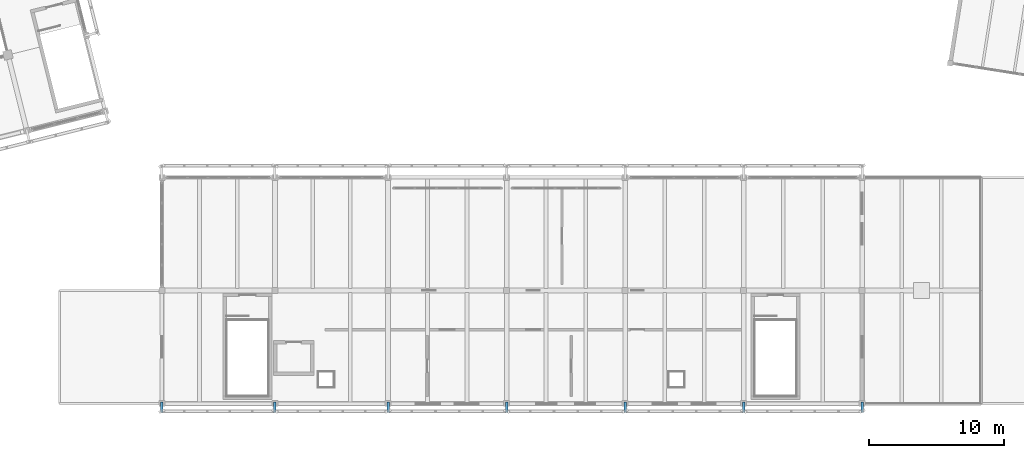
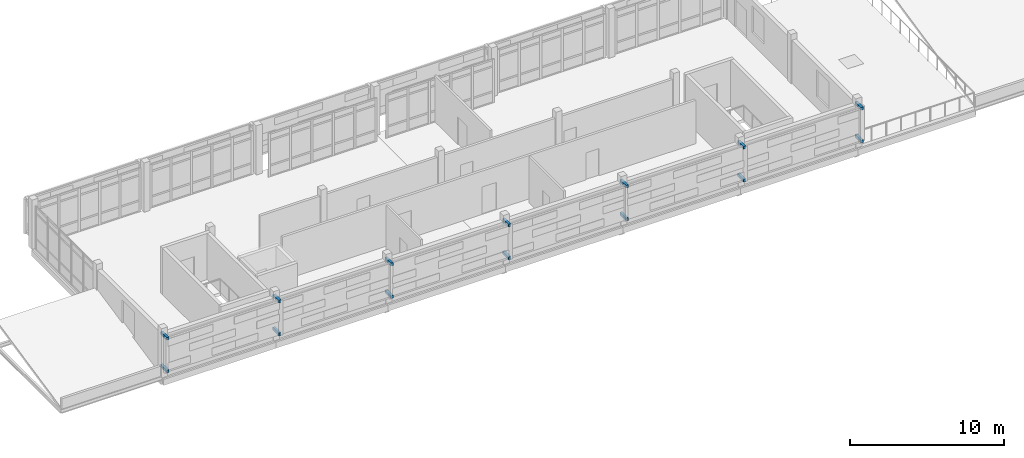
# One storey, part 105 of 117: 14 discrete accessories.
"""IFC4 building model written with IfcOpenShell, lengths in metres."""

import ifcopenshell
import ifcopenshell.guid

model = None  # the IFC model being written
_history = None  # IfcOwnerHistory: only IFC2X3 demands one
_inside = {}  # id of a spatial element -> (the spatial element, [elements in it])
_under = {}  # id of a project, library or spatial element -> (it, [spatial elements below it])
_declared = {}  # id of a project -> (the project, [libraries it declares])
_typed = {}  # id of a type object -> (the type object, [elements of that type])
_made_of = {}  # id of a material, layer set ... -> (it, [elements and type objects made of it])


def new_model(schema):
    """Start an empty IFC model of exactly this schema.

    Asked for "IFC4X3", IfcOpenShell would pick the latest addendum, in which some entities
    have other attributes; the version numbers below select the first issue.
    IFC2X3 requires an IfcOwnerHistory on every rooted entity: one is made here for all.
    """
    global model, _history
    if schema == "IFC4X3":
        model = ifcopenshell.file(schema_version=(4, 3, 0, 0))
    else:
        model = ifcopenshell.file(schema=schema)
    _inside.clear()
    _under.clear()
    _declared.clear()
    _typed.clear()
    _made_of.clear()
    _history = None
    if model.schema == "IFC2X3":
        org = make("IfcOrganization", Name="unknown")
        user = make(
            "IfcPersonAndOrganization",
            ThePerson=make("IfcPerson", FamilyName="unknown"),
            TheOrganization=org,
        )
        app = make(
            "IfcApplication",
            ApplicationDeveloper=org,
            Version="unknown",
            ApplicationFullName="unknown",
            ApplicationIdentifier="unknown",
        )
        _history = make(
            "IfcOwnerHistory",
            OwningUser=user,
            OwningApplication=app,
            ChangeAction="ADDED",
            CreationDate=0,
        )
    return model


def make(cls, **values):
    """One entity of the class cls with the attributes given. An attribute that is None is left unset."""
    return model.create_entity(
        cls, **{name: value for name, value in values.items() if value is not None}
    )


def rooted(cls, **values):
    """An entity with a GlobalId (a new one), such as an element, a storey or a relation."""
    return make(cls, GlobalId=ifcopenshell.guid.new(), OwnerHistory=_history, **values)


def si_unit(unit_type, name, prefix=None):
    """IfcSIUnit, for example si_unit("LENGTHUNIT", "METRE", prefix="MILLI")."""
    return make("IfcSIUnit", UnitType=unit_type, Prefix=prefix, Name=name)


def assignment(units):
    """IfcUnitAssignment: the units of a project."""
    return None if units is None else make("IfcUnitAssignment", Units=units)


def point(xyz):
    """IfcCartesianPoint."""
    return None if xyz is None else make("IfcCartesianPoint", Coordinates=xyz)


def direction(xyz):
    """IfcDirection."""
    return None if xyz is None else make("IfcDirection", DirectionRatios=xyz)


def frame(location, z_axis=None, x_axis=None):
    """IfcAxis2Placement3D, a coordinate frame: its origin and axes. An axis left out is left unset."""
    return make(
        "IfcAxis2Placement3D",
        Location=point(location),
        Axis=direction(z_axis),
        RefDirection=direction(x_axis),
    )


def frame_2d(location, x_axis=None):
    """IfcAxis2Placement2D, a coordinate frame in the plane: its origin and x axis."""
    return make(
        "IfcAxis2Placement2D", Location=point(location), RefDirection=direction(x_axis)
    )


def origin():
    """The frame at (0, 0, 0) with its axes left unset."""
    return frame((0.0, 0.0, 0.0))


def origin_2d():
    """The frame at (0, 0) in the plane with its x axis left unset."""
    return frame_2d((0.0, 0.0))


def place(relative_to, where):
    """IfcLocalPlacement: puts the frame where relative to a parent placement (None: the world)."""
    return make(
        "IfcLocalPlacement", PlacementRelTo=relative_to, RelativePlacement=where
    )


def context(
    kind, dimensions, precision=None, world=None, true_north=None, identifier=None
):
    """IfcGeometricRepresentationContext, for example the 3D "Model" context."""
    return make(
        "IfcGeometricRepresentationContext",
        ContextIdentifier=identifier,
        ContextType=kind,
        CoordinateSpaceDimension=dimensions,
        Precision=precision,
        WorldCoordinateSystem=world,
        TrueNorth=true_north,
    )


def subcontext(parent, identifier, kind, view, scale=None):
    """IfcGeometricRepresentationSubContext, for example "Body" below "Model"."""
    return make(
        "IfcGeometricRepresentationSubContext",
        ContextIdentifier=identifier,
        ContextType=kind,
        ParentContext=parent,
        TargetScale=scale,
        TargetView=view,
    )


def project(units=None, contexts=None):
    """IfcProject with its units and contexts."""
    return rooted(
        "IfcProject",
        Name="project",
        RepresentationContexts=contexts,
        UnitsInContext=assignment(units),
    )


def spatial(cls, under=None, at=None, **own):
    """A site, building, storey or space (cls), placed at a placement, below another one or the project."""
    s = rooted(cls, ObjectPlacement=at, **own)
    if under is not None:
        _under.setdefault(under.id(), (under, []))[1].append(s)
    return s


def profile(cls, at=None, kind="AREA", **sizes):
    """A parametric profile (cls). Its sizes go by their IFC names, for example OverallWidth=200.0."""
    return make(cls, ProfileType=kind, Position=at, **sizes)


def rectangle(**sizes):
    """IfcRectangleProfileDef."""
    return profile("IfcRectangleProfileDef", **sizes)


def extrude(swept, where, along, depth):
    """IfcExtrudedAreaSolid: the profile swept, set in the frame where, extruded along a direction by depth."""
    return make(
        "IfcExtrudedAreaSolid",
        SweptArea=swept,
        Position=where,
        ExtrudedDirection=direction(along),
        Depth=depth,
    )


def shape(context_of_items, identifier, shape_type, items):
    """IfcShapeRepresentation: the items that make up one representation, for example the "Body"."""
    return make(
        "IfcShapeRepresentation",
        ContextOfItems=context_of_items,
        RepresentationIdentifier=identifier,
        RepresentationType=shape_type,
        Items=items,
    )


def material(Name=None, Category=None):
    """IfcMaterial."""
    return make("IfcMaterial", Name=Name, Category=Category)


def made_of(thing, what):
    """Note that an element or type object is made of a material, layer set ...; save() writes the relation."""
    if what is not None:
        _made_of.setdefault(what.id(), (what, []))[1].append(thing)
    return thing


def type_object(cls, material=None, **own):
    """A type object (cls), such as IfcWallType, which elements share."""
    return made_of(rooted(cls, **own), material)


def element(
    cls,
    number,
    at=None,
    inside=None,
    cuts=None,
    type_object=None,
    material=None,
    context=None,
    identifier="Body",
    shape_type=None,
    held_by="IfcProductDefinitionShape",
    body=None,
    shapes=None,
    **own,
):
    """One element of the class cls, such as IfcWall. Its Tag is "e" and its number.

    at: its placement. inside: the storey or other place that contains it. cuts: it is an
    opening in that element (IfcRelVoidsElement). A single representation is given by context,
    identifier, shape_type and body (its items); several are given by shapes. held_by: the class
    of the entity that holds the representations. save() writes the other relations.
    """
    e = rooted(cls, Tag="e%d" % number, ObjectPlacement=at, **own)
    if body is not None:
        shapes = [shape(context, identifier, shape_type, body)]
    if shapes is not None:
        e.Representation = make(held_by, Representations=shapes)
    if inside is not None:
        _inside.setdefault(inside.id(), (inside, []))[1].append(e)
    if cuts is not None:
        rooted(
            "IfcRelVoidsElement", RelatingBuildingElement=cuts, RelatedOpeningElement=e
        )
    if type_object is not None:
        _typed.setdefault(type_object.id(), (type_object, []))[1].append(e)
    return made_of(e, material)


def aggregate(whole, parts):
    """IfcRelAggregates: a whole, such as a stair, and the parts it consists of."""
    return rooted("IfcRelAggregates", RelatingObject=whole, RelatedObjects=parts)


def save(model, path):
    """Write the relations noted so far, then the file.

    IfcRelAggregates (storeys below a building ...), IfcRelContainedInSpatialStructure (elements
    in a storey), IfcRelDefinesByType, IfcRelAssociatesMaterial and IfcRelDeclares: one each for
    every whole, place, type object, material and project.
    """
    for whole, parts in _under.values():
        aggregate(whole, parts)
    for where, things in _inside.values():
        rooted(
            "IfcRelContainedInSpatialStructure",
            RelatedElements=things,
            RelatingStructure=where,
        )
    for kind, things in _typed.values():
        rooted("IfcRelDefinesByType", RelatedObjects=things, RelatingType=kind)
    for what, things in _made_of.values():
        rooted("IfcRelAssociatesMaterial", RelatedObjects=things, RelatingMaterial=what)
    for by, libraries in _declared.values():
        rooted("IfcRelDeclares", RelatingContext=by, RelatedDefinitions=libraries)
    model.write(path)


model = new_model("IFC4")

# Units and contexts
model_context = context("Model", 3, precision=1e-05, world=origin(), true_north=direction((0.0, 1.0)))
body_context = subcontext(model_context, "Body", "Model", "MODEL_VIEW")
ifc_project = project(units=[si_unit("LENGTHUNIT", "METRE"), si_unit("AREAUNIT", "SQUARE_METRE"), si_unit("VOLUMEUNIT", "CUBIC_METRE"), si_unit("PLANEANGLEUNIT", "RADIAN"), si_unit("MASSUNIT", "GRAM", prefix="KILO")], contexts=[model_context])

# Site, building, storey
site_placement = place(None, origin())
site = spatial("IfcSite", under=ifc_project, at=site_placement, CompositionType="ELEMENT")
building_placement = place(site_placement, origin())
building = spatial("IfcBuilding", under=site, at=building_placement, Name="Cinderway Yard Community Centre", CompositionType="ELEMENT")
storey_placement = place(building_placement, frame((0.0, 0.0, 9.0)))
storey = spatial("IfcBuildingStorey", under=building, at=storey_placement, Name="L02", CompositionType="ELEMENT", Elevation=9.0)

# Discrete accessories
ifc_material = material(Name="Steel S355", Category="steel")
discrete_accessory_type = type_object("IfcDiscreteAccessoryType", Name="ENV-ACC-BRACKET", PredefinedType="BRACKET", material=ifc_material)
for number, where, z_axis, x_axis, name in (
    (1, (58.39990234375, 5.72509765625, 0.6201171875), (0.0, 0.0, 1.0), (0.0, -1.0, 0.0), "Screen outrigger bracket 0355"),
    (2, (58.39990234375, 5.72509765625, 3.2099609375), (0.0, 0.0, 1.0), (0.0, -1.0, 0.0), "Screen outrigger bracket 0356"),
    (3, (66.800048828125, 5.72509765625, 0.6201171875), (0.0, 0.0, 1.0), (0.0, -1.0, 0.0), "Screen outrigger bracket 0359"),
    (4, (66.800048828125, 5.72509765625, 3.2099609375), (0.0, 0.0, 1.0), (0.0, -1.0, 0.0), "Screen outrigger bracket 0360"),
    (5, (75.199951171875, 5.72509765625, 0.6201171875), (0.0, 0.0, 1.0), (0.0, -1.0, 0.0), "Screen outrigger bracket 0363"),
    (6, (75.199951171875, 5.72509765625, 3.2099609375), (0.0, 0.0, 1.0), (0.0, -1.0, 0.0), "Screen outrigger bracket 0364"),
    (7, (84.0, 5.72509765625, 0.6201171875), (0.0, 0.0, 1.0), (0.0, -1.0, 0.0), "Screen outrigger bracket 0367"),
    (8, (84.0, 5.72509765625, 3.2099609375), (0.0, 0.0, 1.0), (0.0, -1.0, 0.0), "Screen outrigger bracket 0368"),
    (9, (92.800048828125, 5.72509765625, 0.6201171875), (0.0, 0.0, 1.0), (0.0, -1.0, 0.0), "Screen outrigger bracket 0371"),
    (10, (92.800048828125, 5.72509765625, 3.2099609375), (0.0, 0.0, 1.0), (0.0, -1.0, 0.0), "Screen outrigger bracket 0372"),
    (11, (101.60009765625, 5.72509765625, 0.6201171875), (0.0, 0.0, 1.0), (0.0, -1.0, 0.0), "Screen outrigger bracket 0375"),
    (12, (101.60009765625, 5.72509765625, 3.2099609375), (0.0, 0.0, 1.0), (0.0, -1.0, 0.0), "Screen outrigger bracket 0376"),
    (13, (110.39990234375, 5.72509765625, 0.6201171875), (0.0, 0.0, 1.0), (0.0, -1.0, 0.0), "Screen outrigger bracket 0379"),
    (14, (110.39990234375, 5.72509765625, 3.2099609375), (0.0, 0.0, 1.0), (0.0, -1.0, 0.0), "Screen outrigger bracket 0380"),
):
    element("IfcDiscreteAccessory", number, at=place(storey_placement, frame(where, z_axis=z_axis, x_axis=x_axis)), inside=storey, type_object=discrete_accessory_type, Name=name, PredefinedType="BRACKET", context=body_context, shape_type="SweptSolid", body=[
        extrude(rectangle(XDim=0.7900390625, YDim=0.179931640625, at=origin_2d()), origin(), (0.0, 0.0, 1.0), 0.219970703125),
    ])

save(model, "model.ifc")
